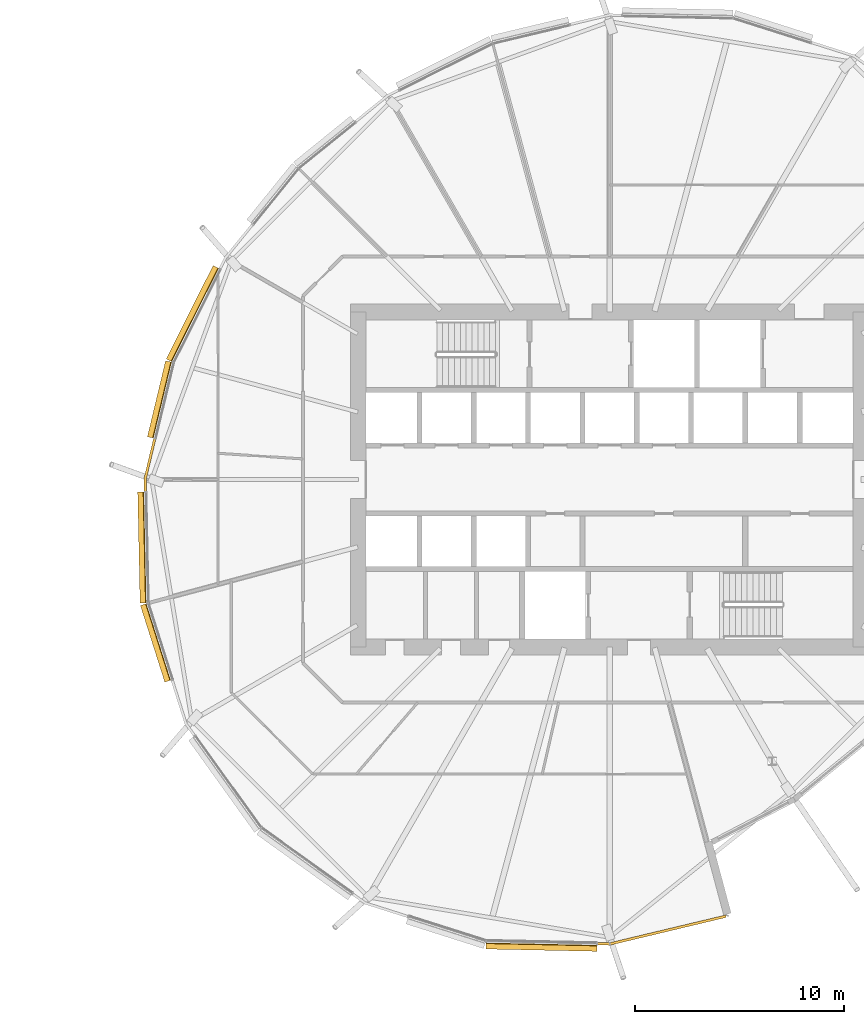
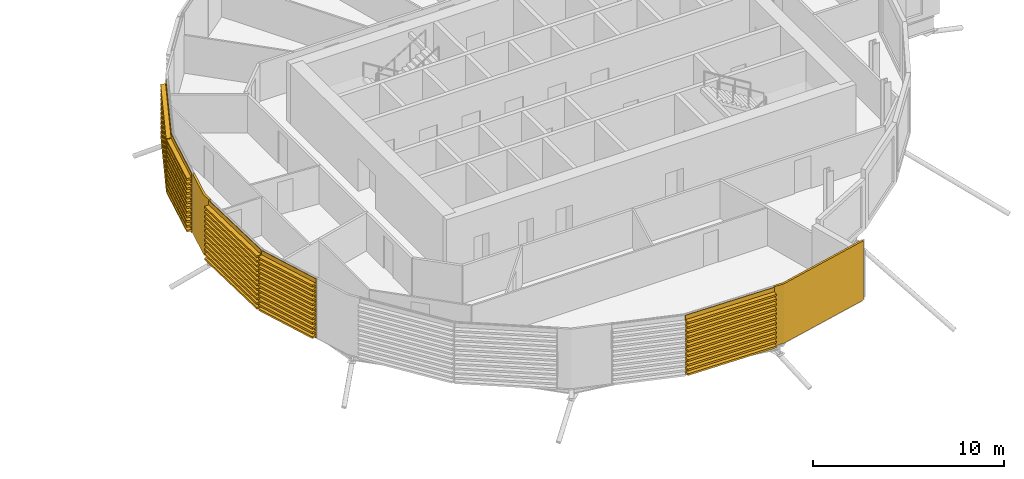
# One storey, part 37 of 39: 7 coverings.
"""IFC4 building model written with IfcOpenShell, lengths in metres."""

import ifcopenshell
import ifcopenshell.guid

model = None  # the IFC model being written
_history = None  # IfcOwnerHistory: only IFC2X3 demands one
_inside = {}  # id of a spatial element -> (the spatial element, [elements in it])
_under = {}  # id of a project, library or spatial element -> (it, [spatial elements below it])
_declared = {}  # id of a project -> (the project, [libraries it declares])
_typed = {}  # id of a type object -> (the type object, [elements of that type])
_made_of = {}  # id of a material, layer set ... -> (it, [elements and type objects made of it])


def new_model(schema):
    """Start an empty IFC model of exactly this schema.

    Asked for "IFC4X3", IfcOpenShell would pick the latest addendum, in which some entities
    have other attributes; the version numbers below select the first issue.
    IFC2X3 requires an IfcOwnerHistory on every rooted entity: one is made here for all.
    """
    global model, _history
    if schema == "IFC4X3":
        model = ifcopenshell.file(schema_version=(4, 3, 0, 0))
    else:
        model = ifcopenshell.file(schema=schema)
    _inside.clear()
    _under.clear()
    _declared.clear()
    _typed.clear()
    _made_of.clear()
    _history = None
    if model.schema == "IFC2X3":
        org = make("IfcOrganization", Name="unknown")
        user = make(
            "IfcPersonAndOrganization",
            ThePerson=make("IfcPerson", FamilyName="unknown"),
            TheOrganization=org,
        )
        app = make(
            "IfcApplication",
            ApplicationDeveloper=org,
            Version="unknown",
            ApplicationFullName="unknown",
            ApplicationIdentifier="unknown",
        )
        _history = make(
            "IfcOwnerHistory",
            OwningUser=user,
            OwningApplication=app,
            ChangeAction="ADDED",
            CreationDate=0,
        )
    return model


def make(cls, **values):
    """One entity of the class cls with the attributes given. An attribute that is None is left unset."""
    return model.create_entity(
        cls, **{name: value for name, value in values.items() if value is not None}
    )


def rooted(cls, **values):
    """An entity with a GlobalId (a new one), such as an element, a storey or a relation."""
    return make(cls, GlobalId=ifcopenshell.guid.new(), OwnerHistory=_history, **values)


def si_unit(unit_type, name, prefix=None):
    """IfcSIUnit, for example si_unit("LENGTHUNIT", "METRE", prefix="MILLI")."""
    return make("IfcSIUnit", UnitType=unit_type, Prefix=prefix, Name=name)


def assignment(units):
    """IfcUnitAssignment: the units of a project."""
    return None if units is None else make("IfcUnitAssignment", Units=units)


def point(xyz):
    """IfcCartesianPoint."""
    return None if xyz is None else make("IfcCartesianPoint", Coordinates=xyz)


def direction(xyz):
    """IfcDirection."""
    return None if xyz is None else make("IfcDirection", DirectionRatios=xyz)


def frame(location, z_axis=None, x_axis=None):
    """IfcAxis2Placement3D, a coordinate frame: its origin and axes. An axis left out is left unset."""
    return make(
        "IfcAxis2Placement3D",
        Location=point(location),
        Axis=direction(z_axis),
        RefDirection=direction(x_axis),
    )


def origin():
    """The frame at (0, 0, 0) with its axes left unset."""
    return frame((0.0, 0.0, 0.0))


def place(relative_to, where):
    """IfcLocalPlacement: puts the frame where relative to a parent placement (None: the world)."""
    return make(
        "IfcLocalPlacement", PlacementRelTo=relative_to, RelativePlacement=where
    )


def context(
    kind, dimensions, precision=None, world=None, true_north=None, identifier=None
):
    """IfcGeometricRepresentationContext, for example the 3D "Model" context."""
    return make(
        "IfcGeometricRepresentationContext",
        ContextIdentifier=identifier,
        ContextType=kind,
        CoordinateSpaceDimension=dimensions,
        Precision=precision,
        WorldCoordinateSystem=world,
        TrueNorth=true_north,
    )


def subcontext(parent, identifier, kind, view, scale=None):
    """IfcGeometricRepresentationSubContext, for example "Body" below "Model"."""
    return make(
        "IfcGeometricRepresentationSubContext",
        ContextIdentifier=identifier,
        ContextType=kind,
        ParentContext=parent,
        TargetScale=scale,
        TargetView=view,
    )


def project(units=None, contexts=None):
    """IfcProject with its units and contexts."""
    return rooted(
        "IfcProject",
        Name="project",
        RepresentationContexts=contexts,
        UnitsInContext=assignment(units),
    )


def spatial(cls, under=None, at=None, **own):
    """A site, building, storey or space (cls), placed at a placement, below another one or the project."""
    s = rooted(cls, ObjectPlacement=at, **own)
    if under is not None:
        _under.setdefault(under.id(), (under, []))[1].append(s)
    return s


def polyline(points):
    """IfcPolyline through the points."""
    return make("IfcPolyline", Points=[point(p) for p in points])


def outline(outer, holes=None, kind="AREA"):
    """IfcArbitraryClosedProfileDef: a profile drawn as a closed curve; with holes, ...WithVoids."""
    if holes is None:
        return make("IfcArbitraryClosedProfileDef", ProfileType=kind, OuterCurve=outer)
    return make(
        "IfcArbitraryProfileDefWithVoids",
        ProfileType=kind,
        OuterCurve=outer,
        InnerCurves=holes,
    )


def extrude(swept, where, along, depth):
    """IfcExtrudedAreaSolid: the profile swept, set in the frame where, extruded along a direction by depth."""
    return make(
        "IfcExtrudedAreaSolid",
        SweptArea=swept,
        Position=where,
        ExtrudedDirection=direction(along),
        Depth=depth,
    )


def shape(context_of_items, identifier, shape_type, items):
    """IfcShapeRepresentation: the items that make up one representation, for example the "Body"."""
    return make(
        "IfcShapeRepresentation",
        ContextOfItems=context_of_items,
        RepresentationIdentifier=identifier,
        RepresentationType=shape_type,
        Items=items,
    )


def material(Name=None, Category=None):
    """IfcMaterial."""
    return make("IfcMaterial", Name=Name, Category=Category)


def layer(
    of_material, thickness, ventilated=None, Name=None, Category=None, Priority=None
):
    """IfcMaterialLayer: one layer of a wall or slab, of a material (None: an air gap)."""
    return make(
        "IfcMaterialLayer",
        Material=of_material,
        LayerThickness=thickness,
        IsVentilated=ventilated,
        Name=Name,
        Category=Category,
        Priority=Priority,
    )


def layer_set(layers, Name=None):
    """IfcMaterialLayerSet."""
    return make("IfcMaterialLayerSet", MaterialLayers=layers, LayerSetName=Name)


def material_profile(
    of_material, cross_section, Name=None, Category=None, Priority=None
):
    """IfcMaterialProfile: a cross section and its material."""
    return make(
        "IfcMaterialProfile",
        Name=Name,
        Material=of_material,
        Profile=cross_section,
        Priority=Priority,
        Category=Category,
    )


def profile_set(profiles, Name=None, composite=None):
    """IfcMaterialProfileSet."""
    return make(
        "IfcMaterialProfileSet",
        Name=Name,
        MaterialProfiles=profiles,
        CompositeProfile=composite,
    )


def made_of(thing, what):
    """Note that an element or type object is made of a material, layer set ...; save() writes the relation."""
    if what is not None:
        _made_of.setdefault(what.id(), (what, []))[1].append(thing)
    return thing


def type_object(cls, material=None, **own):
    """A type object (cls), such as IfcWallType, which elements share."""
    return made_of(rooted(cls, **own), material)


def element(
    cls,
    number,
    at=None,
    inside=None,
    cuts=None,
    type_object=None,
    material=None,
    context=None,
    identifier="Body",
    shape_type=None,
    held_by="IfcProductDefinitionShape",
    body=None,
    shapes=None,
    **own,
):
    """One element of the class cls, such as IfcWall. Its Tag is "e" and its number.

    at: its placement. inside: the storey or other place that contains it. cuts: it is an
    opening in that element (IfcRelVoidsElement). A single representation is given by context,
    identifier, shape_type and body (its items); several are given by shapes. held_by: the class
    of the entity that holds the representations. save() writes the other relations.
    """
    e = rooted(cls, Tag="e%d" % number, ObjectPlacement=at, **own)
    if body is not None:
        shapes = [shape(context, identifier, shape_type, body)]
    if shapes is not None:
        e.Representation = make(held_by, Representations=shapes)
    if inside is not None:
        _inside.setdefault(inside.id(), (inside, []))[1].append(e)
    if cuts is not None:
        rooted(
            "IfcRelVoidsElement", RelatingBuildingElement=cuts, RelatedOpeningElement=e
        )
    if type_object is not None:
        _typed.setdefault(type_object.id(), (type_object, []))[1].append(e)
    return made_of(e, material)


def aggregate(whole, parts):
    """IfcRelAggregates: a whole, such as a stair, and the parts it consists of."""
    return rooted("IfcRelAggregates", RelatingObject=whole, RelatedObjects=parts)


def save(model, path):
    """Write the relations noted so far, then the file.

    IfcRelAggregates (storeys below a building ...), IfcRelContainedInSpatialStructure (elements
    in a storey), IfcRelDefinesByType, IfcRelAssociatesMaterial and IfcRelDeclares: one each for
    every whole, place, type object, material and project.
    """
    for whole, parts in _under.values():
        aggregate(whole, parts)
    for where, things in _inside.values():
        rooted(
            "IfcRelContainedInSpatialStructure",
            RelatedElements=things,
            RelatingStructure=where,
        )
    for kind, things in _typed.values():
        rooted("IfcRelDefinesByType", RelatedObjects=things, RelatingType=kind)
    for what, things in _made_of.values():
        rooted("IfcRelAssociatesMaterial", RelatedObjects=things, RelatingMaterial=what)
    for by, libraries in _declared.values():
        rooted("IfcRelDeclares", RelatingContext=by, RelatedDefinitions=libraries)
    model.write(path)


model = new_model("IFC4")

# Units and contexts
model_context = context("Model", 3, precision=1e-05, world=origin(), true_north=direction((0.0, 1.0)))
body_context = subcontext(model_context, "Body", "Model", "MODEL_VIEW")
ifc_project = project(units=[si_unit("LENGTHUNIT", "METRE"), si_unit("AREAUNIT", "SQUARE_METRE"), si_unit("VOLUMEUNIT", "CUBIC_METRE"), si_unit("PLANEANGLEUNIT", "RADIAN"), si_unit("MASSUNIT", "GRAM", prefix="KILO")], contexts=[model_context])

# Site, building, storey
site_placement = place(None, origin())
site = spatial("IfcSite", under=ifc_project, at=site_placement, CompositionType="ELEMENT")
building_placement = place(site_placement, origin())
building = spatial("IfcBuilding", under=site, at=building_placement, Name="Rimbun Link Towers", CompositionType="ELEMENT")
storey_placement = place(building_placement, frame((0.0, 0.0, 96.800048828125)))
storey = spatial("IfcBuildingStorey", under=building, at=storey_placement, Name="L23", CompositionType="ELEMENT", Elevation=96.800048828125)

# Coverings
ifc_material_1 = material(Name="Terracotta", Category="masonry")
ifc_layer = layer(ifc_material_1, 0.1201171875)
ifc_layer_set = layer_set([ifc_layer], Name="LINK PIER terracotta cladding 120")
covering_type_1 = type_object("IfcCoveringType", Name="LINK PIER terracotta cladding 120", PredefinedType="CLADDING", material=ifc_layer_set)
covering_1_placement = place(storey_placement, origin())
element("IfcCovering", 1, at=covering_1_placement, inside=storey, type_object=covering_type_1, Name="LINK PIER cladding", PredefinedType="CLADDING", context=body_context, shape_type="SweptSolid", body=[
    extrude(outline(polyline([(9.633056640625, -0.56982421875), (9.62109375, 0.0), (10.079345703125, 1.916015625), (9.96240234375, 1.94384765625), (9.500732421875, 0.012939453125), (9.512939453125, -0.572509765625), (9.633056640625, -0.56982421875)])), origin(), (0.0, 0.0, 1.0), 3.800048828125),
])
covering_2_placement = place(storey_placement, origin())
element("IfcCovering", 2, at=covering_2_placement, inside=storey, type_object=covering_type_1, Name="LINK PIER cladding", PredefinedType="CLADDING", context=body_context, shape_type="SweptSolid", body=[
    extrude(outline(polyline([(37.293212890625, -20.80322265625), (31.75, -22.12890625), (31.18017578125, -22.116943359375), (31.177490234375, -22.237060546875), (31.762939453125, -22.249267578125), (37.321044921875, -20.919921875), (37.293212890625, -20.80322265625)])), origin(), (0.0, 0.0, 1.0), 3.800048828125),
])
ifc_material_2 = material(Name="Terracotta", Category="masonry")
ifc_material_profile = material_profile(ifc_material_2, outline(polyline([(0.123046875, 0.0), (0.1630859375, 0.0), (0.1630859375, 0.10009765625), (0.423095703125, 0.10009765625), (0.423095703125, 0.219970703125), (0.1630859375, 0.219970703125), (0.1630859375, 0.39990234375), (0.423095703125, 0.39990234375), (0.423095703125, 0.52001953125), (0.1630859375, 0.52001953125), (0.1630859375, 0.699951171875), (0.423095703125, 0.699951171875), (0.423095703125, 0.820068359375), (0.1630859375, 0.820068359375), (0.1630859375, 1.0), (0.423095703125, 1.0), (0.423095703125, 1.1201171875), (0.1630859375, 1.1201171875), (0.1630859375, 1.300048828125), (0.423095703125, 1.300048828125), (0.423095703125, 1.419921875), (0.1630859375, 1.419921875), (0.1630859375, 1.60009765625), (0.423095703125, 1.60009765625), (0.423095703125, 1.719970703125), (0.1630859375, 1.719970703125), (0.1630859375, 1.89990234375), (0.423095703125, 1.89990234375), (0.423095703125, 2.02001953125), (0.1630859375, 2.02001953125), (0.1630859375, 2.199951171875), (0.423095703125, 2.199951171875), (0.423095703125, 2.320068359375), (0.1630859375, 2.320068359375), (0.1630859375, 2.5), (0.423095703125, 2.5), (0.423095703125, 2.6201171875), (0.1630859375, 2.6201171875), (0.1630859375, 2.800048828125), (0.423095703125, 2.800048828125), (0.423095703125, 2.919921875), (0.1630859375, 2.919921875), (0.1630859375, 3.10009765625), (0.423095703125, 3.10009765625), (0.423095703125, 3.219970703125), (0.1630859375, 3.219970703125), (0.1630859375, 3.39990234375), (0.423095703125, 3.39990234375), (0.423095703125, 3.52001953125), (0.1630859375, 3.52001953125), (0.1630859375, 3.800048828125), (0.123046875, 3.800048828125), (0.123046875, 0.0)])), Name="BAGUETTE 120X300")
ifc_profile_set = profile_set([ifc_material_profile], Name="Terracotta")
covering_type_2 = type_object("IfcCoveringType", Name="TERRACOTTA BAGUETTE 120X300 H3800", PredefinedType="CLADDING", material=ifc_profile_set)
covering_3_placement = place(storey_placement, frame((10.95361328125, 5.572509765625, 0.0), z_axis=(0.44880069849, 0.893631877808, 0.0), x_axis=(-0.893631877808, 0.44880069849, 0.0)))
element("IfcCovering", 3, at=covering_3_placement, inside=storey, type_object=covering_type_2, Name="TERRACOTTA BAGUETTE", PredefinedType="CLADDING", context=body_context, shape_type="SweptSolid", body=[
    extrude(outline(polyline([(0.123046875, 0.0), (0.1630859375, 0.0), (0.1630859375, 0.10009765625), (0.423095703125, 0.10009765625), (0.423095703125, 0.219970703125), (0.1630859375, 0.219970703125), (0.1630859375, 0.39990234375), (0.423095703125, 0.39990234375), (0.423095703125, 0.52001953125), (0.1630859375, 0.52001953125), (0.1630859375, 0.699951171875), (0.423095703125, 0.699951171875), (0.423095703125, 0.820068359375), (0.1630859375, 0.820068359375), (0.1630859375, 1.0), (0.423095703125, 1.0), (0.423095703125, 1.1201171875), (0.1630859375, 1.1201171875), (0.1630859375, 1.300048828125), (0.423095703125, 1.300048828125), (0.423095703125, 1.419921875), (0.1630859375, 1.419921875), (0.1630859375, 1.60009765625), (0.423095703125, 1.60009765625), (0.423095703125, 1.719970703125), (0.1630859375, 1.719970703125), (0.1630859375, 1.89990234375), (0.423095703125, 1.89990234375), (0.423095703125, 2.02001953125), (0.1630859375, 2.02001953125), (0.1630859375, 2.199951171875), (0.423095703125, 2.199951171875), (0.423095703125, 2.320068359375), (0.1630859375, 2.320068359375), (0.1630859375, 2.5), (0.423095703125, 2.5), (0.423095703125, 2.6201171875), (0.1630859375, 2.6201171875), (0.1630859375, 2.800048828125), (0.423095703125, 2.800048828125), (0.423095703125, 2.919921875), (0.1630859375, 2.919921875), (0.1630859375, 3.10009765625), (0.423095703125, 3.10009765625), (0.423095703125, 3.219970703125), (0.1630859375, 3.219970703125), (0.1630859375, 3.39990234375), (0.423095703125, 3.39990234375), (0.423095703125, 3.52001953125), (0.1630859375, 3.52001953125), (0.1630859375, 3.800048828125), (0.123046875, 3.800048828125), (0.123046875, 0.0)])), origin(), (0.0, 0.0, 1.0), 4.981689453125),
])
covering_4_placement = place(storey_placement, frame((10.086181640625, 1.945068359375, 0.0), z_axis=(0.232573213222, 0.972578891654, 0.0), x_axis=(-0.972578891654, 0.232573213222, 0.0)))
element("IfcCovering", 4, at=covering_4_placement, inside=storey, type_object=covering_type_2, Name="TERRACOTTA BAGUETTE", PredefinedType="CLADDING", context=body_context, shape_type="SweptSolid", body=[
    extrude(outline(polyline([(0.123046875, 0.0), (0.1630859375, 0.0), (0.1630859375, 0.10009765625), (0.423095703125, 0.10009765625), (0.423095703125, 0.219970703125), (0.1630859375, 0.219970703125), (0.1630859375, 0.39990234375), (0.423095703125, 0.39990234375), (0.423095703125, 0.52001953125), (0.1630859375, 0.52001953125), (0.1630859375, 0.699951171875), (0.423095703125, 0.699951171875), (0.423095703125, 0.820068359375), (0.1630859375, 0.820068359375), (0.1630859375, 1.0), (0.423095703125, 1.0), (0.423095703125, 1.1201171875), (0.1630859375, 1.1201171875), (0.1630859375, 1.300048828125), (0.423095703125, 1.300048828125), (0.423095703125, 1.419921875), (0.1630859375, 1.419921875), (0.1630859375, 1.60009765625), (0.423095703125, 1.60009765625), (0.423095703125, 1.719970703125), (0.1630859375, 1.719970703125), (0.1630859375, 1.89990234375), (0.423095703125, 1.89990234375), (0.423095703125, 2.02001953125), (0.1630859375, 2.02001953125), (0.1630859375, 2.199951171875), (0.423095703125, 2.199951171875), (0.423095703125, 2.320068359375), (0.1630859375, 2.320068359375), (0.1630859375, 2.5), (0.423095703125, 2.5), (0.423095703125, 2.6201171875), (0.1630859375, 2.6201171875), (0.1630859375, 2.800048828125), (0.423095703125, 2.800048828125), (0.423095703125, 2.919921875), (0.1630859375, 2.919921875), (0.1630859375, 3.10009765625), (0.423095703125, 3.10009765625), (0.423095703125, 3.219970703125), (0.1630859375, 3.219970703125), (0.1630859375, 3.39990234375), (0.423095703125, 3.39990234375), (0.423095703125, 3.52001953125), (0.1630859375, 3.52001953125), (0.1630859375, 3.800048828125), (0.123046875, 3.800048828125), (0.123046875, 0.0)])), origin(), (0.0, 0.0, 1.0), 3.729736328125),
])
covering_5_placement = place(storey_placement, frame((9.7451171875, -5.896240234375, 0.0), z_axis=(-0.021061059897, 0.999778191278, 0.0), x_axis=(-0.999778191278, -0.021061059897, 0.0)))
element("IfcCovering", 5, at=covering_5_placement, inside=storey, type_object=covering_type_2, Name="TERRACOTTA BAGUETTE", PredefinedType="CLADDING", context=body_context, shape_type="SweptSolid", body=[
    extrude(outline(polyline([(0.123046875, 0.0), (0.1630859375, 0.0), (0.1630859375, 0.10009765625), (0.423095703125, 0.10009765625), (0.423095703125, 0.219970703125), (0.1630859375, 0.219970703125), (0.1630859375, 0.39990234375), (0.423095703125, 0.39990234375), (0.423095703125, 0.52001953125), (0.1630859375, 0.52001953125), (0.1630859375, 0.699951171875), (0.423095703125, 0.699951171875), (0.423095703125, 0.820068359375), (0.1630859375, 0.820068359375), (0.1630859375, 1.0), (0.423095703125, 1.0), (0.423095703125, 1.1201171875), (0.1630859375, 1.1201171875), (0.1630859375, 1.300048828125), (0.423095703125, 1.300048828125), (0.423095703125, 1.419921875), (0.1630859375, 1.419921875), (0.1630859375, 1.60009765625), (0.423095703125, 1.60009765625), (0.423095703125, 1.719970703125), (0.1630859375, 1.719970703125), (0.1630859375, 1.89990234375), (0.423095703125, 1.89990234375), (0.423095703125, 2.02001953125), (0.1630859375, 2.02001953125), (0.1630859375, 2.199951171875), (0.423095703125, 2.199951171875), (0.423095703125, 2.320068359375), (0.1630859375, 2.320068359375), (0.1630859375, 2.5), (0.423095703125, 2.5), (0.423095703125, 2.6201171875), (0.1630859375, 2.6201171875), (0.1630859375, 2.800048828125), (0.423095703125, 2.800048828125), (0.423095703125, 2.919921875), (0.1630859375, 2.919921875), (0.1630859375, 3.10009765625), (0.423095703125, 3.10009765625), (0.423095703125, 3.219970703125), (0.1630859375, 3.219970703125), (0.1630859375, 3.39990234375), (0.423095703125, 3.39990234375), (0.423095703125, 3.52001953125), (0.1630859375, 3.52001953125), (0.1630859375, 3.800048828125), (0.123046875, 3.800048828125), (0.123046875, 0.0)])), origin(), (0.0, 0.0, 1.0), 5.297607421875),
])
covering_6_placement = place(storey_placement, frame((10.90771484375, -9.5517578125, 0.0), z_axis=(-0.303080184722, 0.952965057926, 0.0), x_axis=(-0.952965057926, -0.303080184722, 0.0)))
element("IfcCovering", 6, at=covering_6_placement, inside=storey, type_object=covering_type_2, Name="TERRACOTTA BAGUETTE", PredefinedType="CLADDING", context=body_context, shape_type="SweptSolid", body=[
    extrude(outline(polyline([(0.123046875, 0.0), (0.1630859375, 0.0), (0.1630859375, 0.10009765625), (0.423095703125, 0.10009765625), (0.423095703125, 0.219970703125), (0.1630859375, 0.219970703125), (0.1630859375, 0.39990234375), (0.423095703125, 0.39990234375), (0.423095703125, 0.52001953125), (0.1630859375, 0.52001953125), (0.1630859375, 0.699951171875), (0.423095703125, 0.699951171875), (0.423095703125, 0.820068359375), (0.1630859375, 0.820068359375), (0.1630859375, 1.0), (0.423095703125, 1.0), (0.423095703125, 1.1201171875), (0.1630859375, 1.1201171875), (0.1630859375, 1.300048828125), (0.423095703125, 1.300048828125), (0.423095703125, 1.419921875), (0.1630859375, 1.419921875), (0.1630859375, 1.60009765625), (0.423095703125, 1.60009765625), (0.423095703125, 1.719970703125), (0.1630859375, 1.719970703125), (0.1630859375, 1.89990234375), (0.423095703125, 1.89990234375), (0.423095703125, 2.02001953125), (0.1630859375, 2.02001953125), (0.1630859375, 2.199951171875), (0.423095703125, 2.199951171875), (0.423095703125, 2.320068359375), (0.1630859375, 2.320068359375), (0.1630859375, 2.5), (0.423095703125, 2.5), (0.423095703125, 2.6201171875), (0.1630859375, 2.6201171875), (0.1630859375, 2.800048828125), (0.423095703125, 2.800048828125), (0.423095703125, 2.919921875), (0.1630859375, 2.919921875), (0.1630859375, 3.10009765625), (0.423095703125, 3.10009765625), (0.423095703125, 3.219970703125), (0.1630859375, 3.219970703125), (0.1630859375, 3.39990234375), (0.423095703125, 3.39990234375), (0.423095703125, 3.52001953125), (0.1630859375, 3.52001953125), (0.1630859375, 3.800048828125), (0.123046875, 3.800048828125), (0.123046875, 0.0)])), origin(), (0.0, 0.0, 1.0), 3.8359375),
])
covering_7_placement = place(storey_placement, frame((31.150146484375, -22.116455078125, 0.0), z_axis=(-0.999778191278, 0.021061059897, 0.0), x_axis=(-0.021061059897, -0.999778191278, 0.0)))
element("IfcCovering", 7, at=covering_7_placement, inside=storey, type_object=covering_type_2, Name="TERRACOTTA BAGUETTE", PredefinedType="CLADDING", context=body_context, shape_type="SweptSolid", body=[
    extrude(outline(polyline([(0.123046875, 0.0), (0.1630859375, 0.0), (0.1630859375, 0.10009765625), (0.423095703125, 0.10009765625), (0.423095703125, 0.219970703125), (0.1630859375, 0.219970703125), (0.1630859375, 0.39990234375), (0.423095703125, 0.39990234375), (0.423095703125, 0.52001953125), (0.1630859375, 0.52001953125), (0.1630859375, 0.699951171875), (0.423095703125, 0.699951171875), (0.423095703125, 0.820068359375), (0.1630859375, 0.820068359375), (0.1630859375, 1.0), (0.423095703125, 1.0), (0.423095703125, 1.1201171875), (0.1630859375, 1.1201171875), (0.1630859375, 1.300048828125), (0.423095703125, 1.300048828125), (0.423095703125, 1.419921875), (0.1630859375, 1.419921875), (0.1630859375, 1.60009765625), (0.423095703125, 1.60009765625), (0.423095703125, 1.719970703125), (0.1630859375, 1.719970703125), (0.1630859375, 1.89990234375), (0.423095703125, 1.89990234375), (0.423095703125, 2.02001953125), (0.1630859375, 2.02001953125), (0.1630859375, 2.199951171875), (0.423095703125, 2.199951171875), (0.423095703125, 2.320068359375), (0.1630859375, 2.320068359375), (0.1630859375, 2.5), (0.423095703125, 2.5), (0.423095703125, 2.6201171875), (0.1630859375, 2.6201171875), (0.1630859375, 2.800048828125), (0.423095703125, 2.800048828125), (0.423095703125, 2.919921875), (0.1630859375, 2.919921875), (0.1630859375, 3.10009765625), (0.423095703125, 3.10009765625), (0.423095703125, 3.219970703125), (0.1630859375, 3.219970703125), (0.1630859375, 3.39990234375), (0.423095703125, 3.39990234375), (0.423095703125, 3.52001953125), (0.1630859375, 3.52001953125), (0.1630859375, 3.800048828125), (0.123046875, 3.800048828125), (0.123046875, 0.0)])), origin(), (0.0, 0.0, 1.0), 5.297607421875),
])

save(model, "model.ifc")
